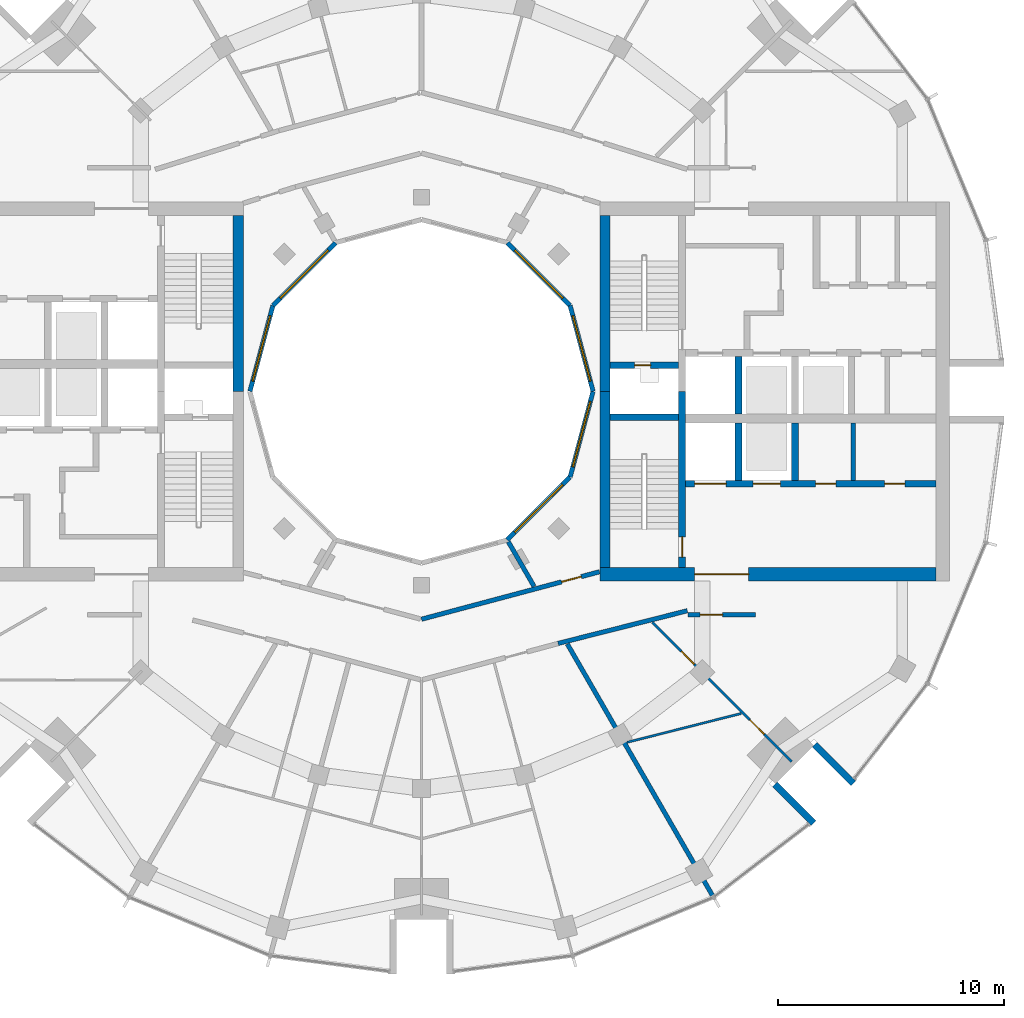
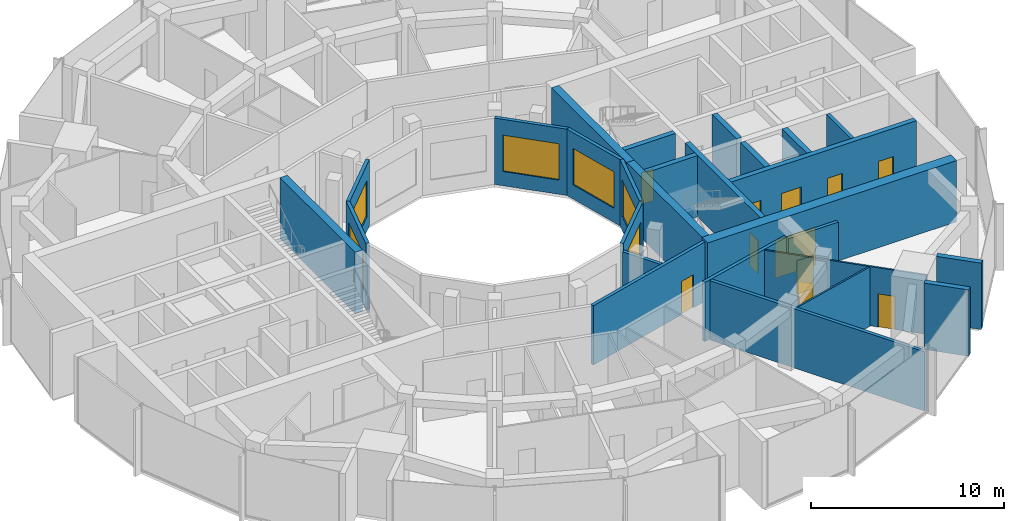
# One storey, part 10 of 15: 27 walls, 11 doors, 6 windows, 17 openings.
"""IFC4 building model written with IfcOpenShell, lengths in metres."""

from ifc_helpers import new_model, si_unit, direction, frame, frame_2d, origin, place, context, subcontext, project, spatial, rectangle, extrude, material, layer, layer_set, type_object, element, fill, save


model = new_model("IFC4")

# Units and contexts
model_context = context("Model", 3, precision=1e-05, world=origin(), true_north=direction((0.0, 1.0)))
body_context = subcontext(model_context, "Body", "Model", "MODEL_VIEW")
ifc_project = project(units=[si_unit("LENGTHUNIT", "METRE"), si_unit("AREAUNIT", "SQUARE_METRE"), si_unit("VOLUMEUNIT", "CUBIC_METRE"), si_unit("PLANEANGLEUNIT", "RADIAN"), si_unit("MASSUNIT", "GRAM", prefix="KILO")], contexts=[model_context])

# Site, building, storey
site_placement = place(None, origin())
site = spatial("IfcSite", under=ifc_project, at=site_placement, CompositionType="ELEMENT")
building_placement = place(site_placement, origin())
building = spatial("IfcBuilding", under=site, at=building_placement, Name="Torre Brocal", CompositionType="ELEMENT")
storey_placement = place(building_placement, frame((0.0, 0.0, 212.5)))
storey = spatial("IfcBuildingStorey", under=building, at=storey_placement, Name="L49", CompositionType="ELEMENT", Elevation=212.5)

# Wall
ifc_material_1 = material(Name="Masonry block", Category="masonry")
ifc_layer_1 = layer(ifc_material_1, 0.199951171875)
ifc_layer_set_1 = layer_set([ifc_layer_1], Name="Masonry block")
wall_type_1 = type_object("IfcWallType", Name="CORE PARTITION 200", PredefinedType="PARTITIONING", material=ifc_layer_set_1)
wall_1_placement = place(storey_placement, frame((99.139892578125, 71.050048828125, 0.0), z_axis=(0.0, 0.0, 1.0), x_axis=(0.0, 1.0, 0.0)))
element("IfcWall", 1, at=wall_1_placement, inside=storey, type_object=wall_type_1, Name="Wall CP200", PredefinedType="PARTITIONING", context=body_context, shape_type="SweptSolid", body=[
    extrude(rectangle(XDim=2.550048828125, YDim=0.199951171875, at=frame_2d((1.27490234375, 0.0))), origin(), (0.0, 0.0, 1.0), 3.8798828125),
])

# Wall, opening, door
ifc_material_2 = material(Name="Concrete C60", Category="concrete")
ifc_layer_2 = layer(ifc_material_2, 0.300048828125)
ifc_layer_set_2 = layer_set([ifc_layer_2], Name="Concrete C60")
wall_type_2 = type_object("IfcWallType", Name="CORE WALL 300 C60", PredefinedType="SHEAR", material=ifc_layer_set_2)
wall_2_placement = place(storey_placement, frame((91.550048828125, 67.199951171875, 0.0), z_axis=(0.0, 0.0, 1.0), x_axis=(0.0, 1.0, 0.0)))
wall_2 = element("IfcWall", 2, at=wall_2_placement, inside=storey, type_object=wall_type_2, Name="Wall CW300-60", PredefinedType="SHEAR", context=body_context, shape_type="SweptSolid", body=[
    extrude(rectangle(XDim=7.800048828125, YDim=0.300048828125, at=frame_2d((3.89990234375, 0.0))), origin(), (0.0, 0.0, 1.0), 3.8798828125),
])
opening_1_placement = place(wall_2_placement, frame((0.449951171875, 0.0, 0.0)))
opening_1 = element("IfcOpeningElement", 3, at=opening_1_placement, cuts=wall_2, Name="Opening E-D03", PredefinedType="OPENING", context=body_context, shape_type="SweptSolid", body=[
    extrude(rectangle(XDim=0.89990234375, YDim=2.10009765625, at=frame_2d((0.449951171875, 1.050048828125))), frame((0.0, 0.159912109375, 0.0), z_axis=(0.0, -1.0, 0.0), x_axis=(1.0, 0.0, 0.0)), (0.0, 0.0, 1.0), 0.320068359375),
])
ifc_material_3 = material(Name="Steel A653", Category="steel")
door_type_1 = type_object("IfcDoorType", Name="STAIR DOOR FD120 900X2100", OperationType="SINGLE_SWING_RIGHT", PredefinedType="DOOR", material=ifc_material_3)
door_1_placement = place(opening_1_placement, origin())
door_1 = element("IfcDoor", 4, at=door_1_placement, inside=storey, type_object=door_type_1, Name="Door E-D03", OperationType="SINGLE_SWING_LEFT", OverallHeight=2.10009765625, OverallWidth=0.89990234375, PredefinedType="DOOR", context=body_context, shape_type="SweptSolid", body=[
    extrude(rectangle(XDim=0.89990234375, YDim=2.10009765625, at=frame_2d((0.449951171875, 1.050048828125))), frame((0.0, 0.02490234375, 0.0), z_axis=(0.0, -1.0, 0.0), x_axis=(1.0, 0.0, 0.0)), (0.0, 0.0, 1.0), 0.050048828125),
])
fill(opening_1, door_1)

wall_3_placement = place(storey_placement, frame((88.35009765625, 76.14990234375, 0.0), z_axis=(0.0, 0.0, 1.0), x_axis=(1.0, 0.0, 0.0)))
wall_3 = element("IfcWall", 5, at=wall_3_placement, inside=storey, type_object=wall_type_2, Name="Wall CW300-60", PredefinedType="SHEAR", context=body_context, shape_type="SweptSolid", body=[
    extrude(rectangle(XDim=3.0498046875, YDim=0.300048828125, at=frame_2d((1.52490234375, 0.0))), origin(), (0.0, 0.0, 1.0), 3.8798828125),
])
opening_2_placement = place(wall_3_placement, frame((1.10009765625, 0.0, 0.0)))
opening_2 = element("IfcOpeningElement", 6, at=opening_2_placement, cuts=wall_3, Name="Opening E-D01", PredefinedType="OPENING", context=body_context, shape_type="SweptSolid", body=[
    extrude(rectangle(XDim=0.699951171875, YDim=2.0, at=frame_2d((0.35009765625, 1.0))), frame((0.0, 0.159912109375, 0.0), z_axis=(0.0, -1.0, 0.0), x_axis=(1.0, 0.0, 0.0)), (0.0, 0.0, 1.0), 0.320068359375),
])
ifc_material_4 = material(Name="Steel A653", Category="steel")
door_type_2 = type_object("IfcDoorType", Name="RISER DOOR FD120 700X2000", OperationType="SINGLE_SWING_LEFT", PredefinedType="DOOR", material=ifc_material_4)
door_2_placement = place(opening_2_placement, frame((0.699951171875, 0.0, 0.0), z_axis=(0.0, 0.0, 1.0), x_axis=(-1.0, 0.0, 0.0)))
door_2 = element("IfcDoor", 7, at=door_2_placement, inside=storey, type_object=door_type_2, Name="Door E-D01", OperationType="SINGLE_SWING_RIGHT", OverallHeight=2.0, OverallWidth=0.699951171875, PredefinedType="DOOR", context=body_context, shape_type="SweptSolid", body=[
    extrude(rectangle(XDim=0.699951171875, YDim=2.0, at=frame_2d((0.35009765625, 1.0))), frame((0.0, 0.02490234375, 0.0), z_axis=(0.0, -1.0, 0.0), x_axis=(1.0, 0.0, 0.0)), (0.0, 0.0, 1.0), 0.050048828125),
])
fill(opening_2, door_2)

# Wall
wall_4_placement = place(storey_placement, frame((88.35009765625, 73.85009765625, 0.0), z_axis=(0.0, 0.0, 1.0), x_axis=(1.0, 0.0, 0.0)))
element("IfcWall", 8, at=wall_4_placement, inside=storey, type_object=wall_type_2, Name="Wall CW300-60", PredefinedType="SHEAR", context=body_context, shape_type="SweptSolid", body=[
    extrude(rectangle(XDim=3.0498046875, YDim=0.300048828125, at=frame_2d((1.52490234375, 0.0))), origin(), (0.0, 0.0, 1.0), 3.8798828125),
])

# Wall, openings, doors
wall_5_placement = place(storey_placement, frame((91.699951171875, 70.89990234375, 0.0), z_axis=(0.0, 0.0, 1.0), x_axis=(1.0, 0.0, 0.0)))
wall_5 = element("IfcWall", 9, at=wall_5_placement, inside=storey, type_object=wall_type_2, Name="Wall CW300-60", PredefinedType="SHEAR", context=body_context, shape_type="SweptSolid", body=[
    extrude(rectangle(XDim=11.10009765625, YDim=0.300048828125, at=frame_2d((5.550048828125, 0.0))), origin(), (0.0, 0.0, 1.0), 3.8798828125),
])
opening_3_placement = place(wall_5_placement, frame((0.39990234375, 0.0, 0.0)))
opening_3 = element("IfcOpeningElement", 10, at=opening_3_placement, cuts=wall_5, Name="Opening LD14", PredefinedType="OPENING", context=body_context, shape_type="SweptSolid", body=[
    extrude(rectangle(XDim=1.39990234375, YDim=2.10009765625, at=frame_2d((0.699951171875, 1.050048828125))), frame((0.0, 0.159912109375, 0.0), z_axis=(0.0, -1.0, 0.0), x_axis=(1.0, 0.0, 0.0)), (0.0, 0.0, 1.0), 0.320068359375),
])
opening_4_placement = place(wall_5_placement, frame((3.0, 0.0, 0.0)))
opening_4 = element("IfcOpeningElement", 11, at=opening_4_placement, cuts=wall_5, Name="Opening LD12", PredefinedType="OPENING", context=body_context, shape_type="SweptSolid", body=[
    extrude(rectangle(XDim=1.199951171875, YDim=2.10009765625, at=frame_2d((0.60009765625, 1.050048828125))), frame((0.0, 0.159912109375, 0.0), z_axis=(0.0, -1.0, 0.0), x_axis=(1.0, 0.0, 0.0)), (0.0, 0.0, 1.0), 0.320068359375),
])
opening_5_placement = place(wall_5_placement, frame((5.77001953125, 0.0, 0.0)))
opening_5 = element("IfcOpeningElement", 12, at=opening_5_placement, cuts=wall_5, Name="Opening E-D06", PredefinedType="OPENING", context=body_context, shape_type="SweptSolid", body=[
    extrude(rectangle(XDim=0.89990234375, YDim=2.10009765625, at=frame_2d((0.449951171875, 1.050048828125))), frame((0.0, 0.159912109375, 0.0), z_axis=(0.0, -1.0, 0.0), x_axis=(1.0, 0.0, 0.0)), (0.0, 0.0, 1.0), 0.320068359375),
])
opening_6_placement = place(wall_5_placement, frame((8.820068359375, 0.0, 0.0)))
opening_6 = element("IfcOpeningElement", 13, at=opening_6_placement, cuts=wall_5, Name="Opening E-D07", PredefinedType="OPENING", context=body_context, shape_type="SweptSolid", body=[
    extrude(rectangle(XDim=0.89990234375, YDim=2.10009765625, at=frame_2d((0.449951171875, 1.050048828125))), frame((0.0, 0.159912109375, 0.0), z_axis=(0.0, -1.0, 0.0), x_axis=(1.0, 0.0, 0.0)), (0.0, 0.0, 1.0), 0.320068359375),
])
ifc_material_5 = material(Name="Stainless steel AISI 316", Category="steel")
door_type_3 = type_object("IfcDoorType", Name="LIFT LANDING DOOR 1200X2100", OperationType="DOUBLE_DOOR_SLIDING", PredefinedType="DOOR", material=ifc_material_5)
door_3_placement = place(opening_4_placement, origin())
door_3 = element("IfcDoor", 14, at=door_3_placement, inside=storey, type_object=door_type_3, Name="Door LD12", OperationType="DOUBLE_DOOR_SLIDING", OverallHeight=2.10009765625, OverallWidth=1.199951171875, PredefinedType="DOOR", context=body_context, shape_type="SweptSolid", body=[
    extrude(rectangle(XDim=1.199951171875, YDim=2.10009765625, at=frame_2d((0.60009765625, 1.050048828125))), frame((0.0, 0.02490234375, 0.0), z_axis=(0.0, -1.0, 0.0), x_axis=(1.0, 0.0, 0.0)), (0.0, 0.0, 1.0), 0.050048828125),
])
fill(opening_4, door_3)
ifc_material_6 = material(Name="Stainless steel AISI 316", Category="steel")
door_type_4 = type_object("IfcDoorType", Name="LIFT LANDING DOOR 1400X2100", OperationType="DOUBLE_DOOR_SLIDING", PredefinedType="DOOR", material=ifc_material_6)
door_4_placement = place(opening_3_placement, origin())
door_4 = element("IfcDoor", 15, at=door_4_placement, inside=storey, type_object=door_type_4, Name="Door LD14", OperationType="DOUBLE_DOOR_SLIDING", OverallHeight=2.10009765625, OverallWidth=1.39990234375, PredefinedType="DOOR", context=body_context, shape_type="SweptSolid", body=[
    extrude(rectangle(XDim=1.39990234375, YDim=2.10009765625, at=frame_2d((0.699951171875, 1.050048828125))), frame((0.0, 0.02490234375, 0.0), z_axis=(0.0, -1.0, 0.0), x_axis=(1.0, 0.0, 0.0)), (0.0, 0.0, 1.0), 0.050048828125),
])
fill(opening_3, door_4)
ifc_material_7 = material(Name="Steel A653", Category="steel")
door_type_5 = type_object("IfcDoorType", Name="ROOM DOOR FD30S 900X2100", OperationType="SINGLE_SWING_LEFT", PredefinedType="DOOR", material=ifc_material_7)
door_5_placement = place(opening_5_placement, origin())
door_5 = element("IfcDoor", 16, at=door_5_placement, inside=storey, type_object=door_type_5, Name="Door E-D06", OperationType="SINGLE_SWING_RIGHT", OverallHeight=2.10009765625, OverallWidth=0.89990234375, PredefinedType="DOOR", context=body_context, shape_type="SweptSolid", body=[
    extrude(rectangle(XDim=0.89990234375, YDim=2.10009765625, at=frame_2d((0.449951171875, 1.050048828125))), frame((0.0, 0.02490234375, 0.0), z_axis=(0.0, -1.0, 0.0), x_axis=(1.0, 0.0, 0.0)), (0.0, 0.0, 1.0), 0.050048828125),
])
fill(opening_5, door_5)
door_6_placement = place(opening_6_placement, origin())
door_6 = element("IfcDoor", 17, at=door_6_placement, inside=storey, type_object=door_type_5, Name="Door E-D07", OperationType="SINGLE_SWING_LEFT", OverallHeight=2.10009765625, OverallWidth=0.89990234375, PredefinedType="DOOR", context=body_context, shape_type="SweptSolid", body=[
    extrude(rectangle(XDim=0.89990234375, YDim=2.10009765625, at=frame_2d((0.449951171875, 1.050048828125))), frame((0.0, 0.02490234375, 0.0), z_axis=(0.0, -1.0, 0.0), x_axis=(1.0, 0.0, 0.0)), (0.0, 0.0, 1.0), 0.050048828125),
])
fill(opening_6, door_6)

# Walls
for number, where, z_axis, x_axis, name in (
    (18, (94.050048828125, 74.0, 0.0), (0.0, 0.0, 1.0), (0.0, 1.0, 0.0), "Wall CW300-60"),
    (19, (94.050048828125, 71.050048828125, 0.0), (0.0, 0.0, 1.0), (0.0, 1.0, 0.0), "Wall CW300-60"),
    (20, (96.550048828125, 71.050048828125, 0.0), (0.0, 0.0, 1.0), (0.0, 1.0, 0.0), "Wall CW300-60"),
):
    element("IfcWall", number, at=place(storey_placement, frame(where, z_axis=z_axis, x_axis=x_axis)), inside=storey, type_object=wall_type_2, Name=name, PredefinedType="SHEAR", context=body_context, shape_type="SweptSolid", body=[
        extrude(rectangle(XDim=2.550048828125, YDim=0.300048828125, at=frame_2d((1.27490234375, 0.0))), origin(), (0.0, 0.0, 1.0), 3.8798828125),
    ])
ifc_material_8 = material(Name="Concrete C60", Category="concrete")
ifc_layer_3 = layer(ifc_material_8, 0.449951171875)
ifc_layer_set_3 = layer_set([ifc_layer_3], Name="Concrete C60")
wall_type_3 = type_object("IfcWallType", Name="CORE WALL 450 C60", PredefinedType="SHEAR", material=ifc_layer_set_3)
for number, where, z_axis, x_axis, name in (
    (21, (88.125, 75.0, 0.0), (0.0, 0.0, 1.0), (0.0, 1.0, 0.0), "Wall CW450-60"),
    (22, (88.125, 67.199951171875, 0.0), (0.0, 0.0, 1.0), (0.0, 1.0, 0.0), "Wall CW450-60"),
    (23, (71.875, 82.800048828125, 0.0), (0.0, 0.0, 1.0), (0.0, -1.0, 0.0), "Wall CW450-60"),
):
    element("IfcWall", number, at=place(storey_placement, frame(where, z_axis=z_axis, x_axis=x_axis)), inside=storey, type_object=wall_type_3, Name=name, PredefinedType="SHEAR", context=body_context, shape_type="SweptSolid", body=[
        extrude(rectangle(XDim=7.800048828125, YDim=0.449951171875, at=frame_2d((3.89990234375, 0.0))), origin(), (0.0, 0.0, 1.0), 3.8798828125),
    ])

# Wall, opening, door
ifc_material_9 = material(Name="Concrete C60", Category="concrete")
ifc_layer_4 = layer(ifc_material_9, 0.60009765625)
ifc_layer_set_4 = layer_set([ifc_layer_4], Name="Concrete C60")
wall_type_4 = type_object("IfcWallType", Name="CORE WALL 600 C60", PredefinedType="SHEAR", material=ifc_layer_set_4)
wall_6_placement = place(storey_placement, frame((87.89990234375, 66.89990234375, 0.0), z_axis=(0.0, 0.0, 1.0), x_axis=(1.0, 0.0, 0.0)))
wall_6 = element("IfcWall", 24, at=wall_6_placement, inside=storey, type_object=wall_type_4, Name="Wall CW600-60", PredefinedType="SHEAR", context=body_context, shape_type="SweptSolid", body=[
    extrude(rectangle(XDim=14.900146484375, YDim=0.60009765625, at=frame_2d((7.4501953125, 0.0))), origin(), (0.0, 0.0, 1.0), 3.8798828125),
])
opening_7_placement = place(wall_6_placement, frame((4.199951171875, 0.0, 0.0)))
opening_7 = element("IfcOpeningElement", 25, at=opening_7_placement, cuts=wall_6, Name="Opening E-D13", PredefinedType="OPENING", context=body_context, shape_type="SweptSolid", body=[
    extrude(rectangle(XDim=2.39990234375, YDim=2.39990234375, at=frame_2d((1.199951171875, 1.199951171875))), frame((0.0, 0.31005859375, 0.0), z_axis=(0.0, -1.0, 0.0), x_axis=(1.0, 0.0, 0.0)), (0.0, 0.0, 1.0), 0.6201171875),
])
ifc_material_10 = material(Name="Steel A653", Category="steel")
door_type_6 = type_object("IfcDoorType", Name="DOUBLE FIRE DOOR FD90 2400X2400", OperationType="DOUBLE_DOOR_SINGLE_SWING", PredefinedType="DOOR", material=ifc_material_10)
door_7_placement = place(opening_7_placement, origin())
door_7 = element("IfcDoor", 26, at=door_7_placement, inside=storey, type_object=door_type_6, Name="Door E-D13", OperationType="DOUBLE_DOOR_SINGLE_SWING", OverallHeight=2.39990234375, OverallWidth=2.39990234375, PredefinedType="DOOR", context=body_context, shape_type="SweptSolid", body=[
    extrude(rectangle(XDim=2.39990234375, YDim=2.39990234375, at=frame_2d((1.199951171875, 1.199951171875))), frame((0.0, 0.02490234375, 0.0), z_axis=(0.0, -1.0, 0.0), x_axis=(1.0, 0.0, 0.0)), (0.0, 0.0, 1.0), 0.050048828125),
])
fill(opening_7, door_7)

# Walls
ifc_material_11 = material(Name="Concrete C60", Category="concrete")
ifc_layer_5 = layer(ifc_material_11, 0.300048828125)
ifc_layer_set_5 = layer_set([ifc_layer_5], Name="Concrete C60")
wall_type_5 = type_object("IfcWallType", Name="NOTCH RETURN WALL 300 C60", PredefinedType="NOTDEFINED", material=ifc_layer_set_5)
for number, where, z_axis, x_axis, name in (
    (27, (95.662353515625, 57.56982421875, 0.0), (0.0, 0.0, 1.0), (0.707106781187, -0.707106781187, 0.0), "NOTCH RETURN WALL"),
    (28, (97.43017578125, 59.337646484375, 0.0), (0.0, 0.0, 1.0), (0.707106781187, -0.707106781187, 0.0), "NOTCH RETURN WALL"),
):
    element("IfcWall", number, at=place(storey_placement, frame(where, z_axis=z_axis, x_axis=x_axis)), inside=storey, type_object=wall_type_5, Name=name, PredefinedType="NOTDEFINED", context=body_context, shape_type="SweptSolid", body=[
        extrude(rectangle(XDim=2.415771484375, YDim=0.300048828125, at=frame_2d((1.2080078125, 0.0))), origin(), (0.0, 0.0, 1.0), 4.199951171875),
    ])
ifc_material_12 = material(Name="Gypsum board", Category="Gypsum")
ifc_layer_6 = layer(ifc_material_12, 0.10009765625)
ifc_layer_set_6 = layer_set([ifc_layer_6], Name="Gypsum board")
wall_type_6 = type_object("IfcWallType", Name="PARTITION 100", PredefinedType="PARTITIONING", material=ifc_layer_set_6)
wall_7_placement = place(storey_placement, frame((89.105712890625, 59.44091796875, 0.0), z_axis=(0.0, 0.0, 1.0), x_axis=(0.969462385749, 0.245240051009, 0.0)))
element("IfcWall", 29, at=wall_7_placement, inside=storey, type_object=wall_type_6, Name="BATHROOM WALL", PredefinedType="PARTITIONING", context=body_context, shape_type="SweptSolid", body=[
    extrude(rectangle(XDim=5.223388671875, YDim=0.10009765625, at=frame_2d((2.61181640625, 0.0))), origin(), (0.0, 0.0, 1.0), 3.75),
])

# Wall, openings, doors
wall_8_placement = place(storey_placement, frame((90.23583984375, 64.7578125, 0.0), z_axis=(0.0, 0.0, 1.0), x_axis=(0.706938769128, -0.707274753334, 0.0)))
wall_8 = element("IfcWall", 30, at=wall_8_placement, inside=storey, type_object=wall_type_6, Name="BATHROOM WALL", PredefinedType="PARTITIONING", context=body_context, shape_type="SweptSolid", body=[
    extrude(rectangle(XDim=8.7197265625, YDim=0.10009765625, at=frame_2d((4.35986328125, 0.0))), origin(), (0.0, 0.0, 1.0), 3.75),
])
opening_8_placement = place(wall_8_placement, frame((6.114501953125, 0.0, 0.0)))
opening_8 = element("IfcOpeningElement", 31, at=opening_8_placement, cuts=wall_8, Name="Opening B01-D21", PredefinedType="OPENING", context=body_context, shape_type="SweptSolid", body=[
    extrude(rectangle(XDim=0.89990234375, YDim=2.10009765625, at=frame_2d((0.449951171875, 1.050048828125))), frame((0.0, 0.06005859375, 0.0), z_axis=(0.0, -1.0, 0.0), x_axis=(1.0, 0.0, 0.0)), (0.0, 0.0, 1.0), 0.1201171875),
])
opening_9_placement = place(wall_8_placement, frame((1.817138671875, 0.0, 0.0)))
opening_9 = element("IfcOpeningElement", 32, at=opening_9_placement, cuts=wall_8, Name="Opening B01-D22", PredefinedType="OPENING", context=body_context, shape_type="SweptSolid", body=[
    extrude(rectangle(XDim=0.800048828125, YDim=2.10009765625, at=frame_2d((0.39990234375, 1.050048828125))), frame((0.0, 0.06005859375, 0.0), z_axis=(0.0, -1.0, 0.0), x_axis=(1.0, 0.0, 0.0)), (0.0, 0.0, 1.0), 0.1201171875),
])
ifc_material_13 = material(Name="Timber", Category="wood")
door_type_7 = type_object("IfcDoorType", Name="BATHROOM DOOR 800X2100", OperationType="SINGLE_SWING_LEFT", PredefinedType="DOOR", material=ifc_material_13)
door_8_placement = place(opening_9_placement, frame((0.800048828125, 0.0, 0.0), z_axis=(0.0, 0.0, 1.0), x_axis=(-1.0, 0.0, 0.0)))
door_8 = element("IfcDoor", 33, at=door_8_placement, inside=storey, type_object=door_type_7, Name="B01-D22", OperationType="SINGLE_SWING_RIGHT", OverallHeight=2.10009765625, OverallWidth=0.800048828125, PredefinedType="DOOR", context=body_context, shape_type="SweptSolid", body=[
    extrude(rectangle(XDim=0.800048828125, YDim=2.10009765625, at=frame_2d((0.39990234375, 1.050048828125))), frame((0.0, 0.02490234375, 0.0), z_axis=(0.0, -1.0, 0.0), x_axis=(1.0, 0.0, 0.0)), (0.0, 0.0, 1.0), 0.050048828125),
])
fill(opening_9, door_8)
ifc_material_14 = material(Name="Timber", Category="wood")
door_type_8 = type_object("IfcDoorType", Name="ROOM DOOR 900X2100", OperationType="SINGLE_SWING_LEFT", PredefinedType="DOOR", material=ifc_material_14)
door_9_placement = place(opening_8_placement, origin())
door_9 = element("IfcDoor", 34, at=door_9_placement, inside=storey, type_object=door_type_8, Name="B01-D21", OperationType="SINGLE_SWING_LEFT", OverallHeight=2.10009765625, OverallWidth=0.89990234375, PredefinedType="DOOR", context=body_context, shape_type="SweptSolid", body=[
    extrude(rectangle(XDim=0.89990234375, YDim=2.10009765625, at=frame_2d((0.449951171875, 1.050048828125))), frame((0.0, 0.02490234375, 0.0), z_axis=(0.0, -1.0, 0.0), x_axis=(1.0, 0.0, 0.0)), (0.0, 0.0, 1.0), 0.050048828125),
])
fill(opening_8, door_9)

# Wall, opening, door
ifc_material_15 = material(Name="Gypsum board", Category="Gypsum")
ifc_layer_7 = layer(ifc_material_15, 0.199951171875)
ifc_layer_set_7 = layer_set([ifc_layer_7], Name="Gypsum board")
wall_type_7 = type_object("IfcWallType", Name="PARTITION 200 EI60", PredefinedType="PARTITIONING", material=ifc_layer_set_7)
wall_9_placement = place(storey_placement, frame((79.99951171875, 64.89794921875, 0.0), z_axis=(0.0, 0.0, 1.0), x_axis=(0.966237419782, 0.257653349704, 0.0)))
wall_9 = element("IfcWall", 35, at=wall_9_placement, inside=storey, type_object=wall_type_7, Name="CORRIDOR WALL", PredefinedType="PARTITIONING", context=body_context, shape_type="SweptSolid", body=[
    extrude(rectangle(XDim=8.1689453125, YDim=0.199951171875, at=frame_2d((4.08447265625, 0.0))), origin(), (0.0, 0.0, 1.0), 3.75),
])
opening_10_placement = place(wall_9_placement, frame((6.427978515625, 0.0, 0.0)))
opening_10 = element("IfcOpeningElement", 36, at=opening_10_placement, cuts=wall_9, Name="Opening B01-D37", PredefinedType="OPENING", context=body_context, shape_type="SweptSolid", body=[
    extrude(rectangle(XDim=0.89990234375, YDim=2.10009765625, at=frame_2d((0.449951171875, 1.050048828125))), frame((0.0, 0.10986328125, 0.0), z_axis=(0.0, -1.0, 0.0), x_axis=(1.0, 0.0, 0.0)), (0.0, 0.0, 1.0), 0.219970703125),
])
door_10_placement = place(opening_10_placement, origin())
door_10 = element("IfcDoor", 37, at=door_10_placement, inside=storey, type_object=door_type_8, Name="B01-D37", OperationType="SINGLE_SWING_RIGHT", OverallHeight=2.10009765625, OverallWidth=0.89990234375, PredefinedType="DOOR", context=body_context, shape_type="SweptSolid", body=[
    extrude(rectangle(XDim=0.89990234375, YDim=2.10009765625, at=frame_2d((0.449951171875, 1.050048828125))), frame((0.0, 0.02490234375, 0.0), z_axis=(0.0, -1.0, 0.0), x_axis=(1.0, 0.0, 0.0)), (0.0, 0.0, 1.0), 0.050048828125),
])
fill(opening_10, door_10)

# Walls
wall_10_placement = place(storey_placement, frame((83.84814453125, 68.331298828125, 0.0), z_axis=(0.0, 0.0, 1.0), x_axis=(0.499851978358, -0.866110847255, 0.0)))
element("IfcWall", 38, at=wall_10_placement, inside=storey, type_object=wall_type_7, Name="SERVICE ROOM WALL", PredefinedType="PARTITIONING", context=body_context, shape_type="SweptSolid", body=[
    extrude(rectangle(XDim=2.284423828125, YDim=0.199951171875, at=frame_2d((1.14208984375, 0.0))), origin(), (0.0, 0.0, 1.0), 3.75),
])
wall_11_placement = place(storey_placement, frame((86.052978515625, 63.826171875, 0.0), z_axis=(0.0, 0.0, 1.0), x_axis=(0.969490004987, 0.245130843083, 0.0)))
element("IfcWall", 39, at=wall_11_placement, inside=storey, type_object=wall_type_7, Name="FLAT ENTRANCE WALL", PredefinedType="PARTITIONING", context=body_context, shape_type="SweptSolid", body=[
    extrude(rectangle(XDim=5.907958984375, YDim=0.199951171875, at=frame_2d((2.9541015625, 0.0))), origin(), (0.0, 0.0, 1.0), 3.75),
])
wall_12_placement = place(storey_placement, frame((86.46337890625, 63.7998046875, 0.0), z_axis=(0.0, 0.0, 1.0), x_axis=(0.499827034849, -0.866125242234, 0.0)))
element("IfcWall", 40, at=wall_12_placement, inside=storey, type_object=wall_type_7, Name="BATHROOM WALL", PredefinedType="PARTITIONING", context=body_context, shape_type="SweptSolid", body=[
    extrude(rectangle(XDim=12.8662109375, YDim=0.199951171875, at=frame_2d((6.43310546875, 0.0))), origin(), (0.0, 0.0, 1.0), 3.75),
])

# Wall, opening, door
wall_13_placement = place(storey_placement, frame((91.800048828125, 65.10009765625, 0.0), z_axis=(0.0, 0.0, 1.0), x_axis=(1.0, 0.0, 0.0)))
wall_13 = element("IfcWall", 41, at=wall_13_placement, inside=storey, type_object=wall_type_7, Name="FLAT ENTRANCE WALL", PredefinedType="PARTITIONING", context=body_context, shape_type="SweptSolid", body=[
    extrude(rectangle(XDim=3.0, YDim=0.199951171875, at=frame_2d((1.5, 0.0))), origin(), (0.0, 0.0, 1.0), 3.75),
])
opening_11_placement = place(wall_13_placement, frame((0.550048828125, 0.0, 0.0)))
opening_11 = element("IfcOpeningElement", 42, at=opening_11_placement, cuts=wall_13, Name="Opening B01-D20", PredefinedType="OPENING", context=body_context, shape_type="SweptSolid", body=[
    extrude(rectangle(XDim=1.0, YDim=2.10009765625, at=frame_2d((0.5, 1.050048828125))), frame((0.0, 0.10986328125, 0.0), z_axis=(0.0, -1.0, 0.0), x_axis=(1.0, 0.0, 0.0)), (0.0, 0.0, 1.0), 0.219970703125),
])
ifc_material_16 = material(Name="Timber", Category="wood")
door_type_9 = type_object("IfcDoorType", Name="FLAT ENTRY DOOR FD30S 1000X2100", OperationType="SINGLE_SWING_RIGHT", PredefinedType="DOOR", material=ifc_material_16)
door_11_placement = place(opening_11_placement, frame((1.0, 0.0, 0.0), z_axis=(0.0, 0.0, 1.0), x_axis=(-1.0, 0.0, 0.0)))
door_11 = element("IfcDoor", 43, at=door_11_placement, inside=storey, type_object=door_type_9, Name="B01-D20", OperationType="SINGLE_SWING_RIGHT", OverallHeight=2.10009765625, OverallWidth=1.0, PredefinedType="DOOR", context=body_context, shape_type="SweptSolid", body=[
    extrude(rectangle(XDim=1.0, YDim=2.10009765625, at=frame_2d((0.5, 1.050048828125))), frame((0.0, 0.02490234375, 0.0), z_axis=(0.0, -1.0, 0.0), x_axis=(1.0, 0.0, 0.0)), (0.0, 0.0, 1.0), 0.050048828125),
])
fill(opening_11, door_11)

# Wall, opening, window
ifc_material_17 = material(Name="Concrete C40", Category="concrete")
ifc_layer_8 = layer(ifc_material_17, 0.199951171875)
ifc_layer_set_8 = layer_set([ifc_layer_8], Name="Concrete C40")
wall_type_8 = type_object("IfcWallType", Name="WELL FACADE WALL 200", PredefinedType="NOTDEFINED", material=ifc_layer_set_8)
wall_14_placement = place(storey_placement, frame((87.603515625, 75.0, 0.0), z_axis=(0.0, 0.0, 1.0), x_axis=(-0.258789828301, 0.965933654434, 0.0)))
wall_14 = element("IfcWall", 44, at=wall_14_placement, inside=storey, type_object=wall_type_8, Name="WELL FACADE WALL", PredefinedType="NOTDEFINED", context=body_context, shape_type="SweptSolid", body=[
    extrude(rectangle(XDim=3.935791015625, YDim=0.199951171875, at=frame_2d((1.9677734375, 0.0))), origin(), (0.0, 0.0, 1.0), 4.199951171875),
])
opening_12_placement = place(wall_14_placement, frame((0.468017578125, 0.0, 0.89990234375)))
opening_12 = element("IfcOpeningElement", 45, at=opening_12_placement, cuts=wall_14, Name="Opening W1", PredefinedType="OPENING", context=body_context, shape_type="SweptSolid", body=[
    extrude(rectangle(XDim=3.0, YDim=2.300048828125, at=frame_2d((1.5, 1.14990234375))), frame((0.0, 0.10986328125, 0.0), z_axis=(0.0, -1.0, 0.0), x_axis=(1.0, 0.0, 0.0)), (0.0, 0.0, 1.0), 0.219970703125),
])
ifc_material_18 = material(Name="Aluminium and glass", Category="aluminium")
window_type = type_object("IfcWindowType", Name="WELL WINDOW 3000X2300", PartitioningType="SINGLE_PANEL", PredefinedType="WINDOW", material=ifc_material_18)
window_1_placement = place(opening_12_placement, origin())
window_1 = element("IfcWindow", 46, at=window_1_placement, inside=storey, type_object=window_type, Name="WELL WINDOW 3000X2300", OverallHeight=2.300048828125, OverallWidth=3.0, PartitioningType="SINGLE_PANEL", PredefinedType="WINDOW", context=body_context, shape_type="SweptSolid", body=[
    extrude(rectangle(XDim=3.0, YDim=2.300048828125, at=frame_2d((1.5, 1.14990234375))), frame((0.0, 0.030029296875, 0.0), z_axis=(0.0, -1.0, 0.0), x_axis=(1.0, 0.0, 0.0)), (0.0, 0.0, 1.0), 0.06005859375),
])
fill(opening_12, window_1)

wall_15_placement = place(storey_placement, frame((86.5849609375, 78.8017578125, 0.0), z_axis=(0.0, 0.0, 1.0), x_axis=(-0.707106781187, 0.707106781187, 0.0)))
wall_15 = element("IfcWall", 47, at=wall_15_placement, inside=storey, type_object=wall_type_8, Name="WELL FACADE WALL", PredefinedType="NOTDEFINED", context=body_context, shape_type="SweptSolid", body=[
    extrude(rectangle(XDim=3.93603515625, YDim=0.199951171875, at=frame_2d((1.968017578125, 0.0))), origin(), (0.0, 0.0, 1.0), 4.199951171875),
])
opening_13_placement = place(wall_15_placement, frame((0.468017578125, 0.0, 0.89990234375)))
opening_13 = element("IfcOpeningElement", 48, at=opening_13_placement, cuts=wall_15, Name="Opening W1", PredefinedType="OPENING", context=body_context, shape_type="SweptSolid", body=[
    extrude(rectangle(XDim=3.0, YDim=2.300048828125, at=frame_2d((1.5, 1.14990234375))), frame((0.0, 0.10986328125, 0.0), z_axis=(0.0, -1.0, 0.0), x_axis=(1.0, 0.0, 0.0)), (0.0, 0.0, 1.0), 0.219970703125),
])
window_2_placement = place(opening_13_placement, origin())
window_2 = element("IfcWindow", 49, at=window_2_placement, inside=storey, type_object=window_type, Name="WELL WINDOW 3000X2300", OverallHeight=2.300048828125, OverallWidth=3.0, PartitioningType="SINGLE_PANEL", PredefinedType="WINDOW", context=body_context, shape_type="SweptSolid", body=[
    extrude(rectangle(XDim=3.0, YDim=2.300048828125, at=frame_2d((1.5, 1.14990234375))), frame((0.0, 0.030029296875, 0.0), z_axis=(0.0, -1.0, 0.0), x_axis=(1.0, 0.0, 0.0)), (0.0, 0.0, 1.0), 0.06005859375),
])
fill(opening_13, window_2)

wall_16_placement = place(storey_placement, frame((76.1982421875, 81.5849609375, 0.0), z_axis=(0.0, 0.0, 1.0), x_axis=(-0.707106781187, -0.707106781187, 0.0)))
wall_16 = element("IfcWall", 50, at=wall_16_placement, inside=storey, type_object=wall_type_8, Name="WELL FACADE WALL", PredefinedType="NOTDEFINED", context=body_context, shape_type="SweptSolid", body=[
    extrude(rectangle(XDim=3.93603515625, YDim=0.199951171875, at=frame_2d((1.968017578125, 0.0))), origin(), (0.0, 0.0, 1.0), 4.199951171875),
])
opening_14_placement = place(wall_16_placement, frame((0.468017578125, 0.0, 0.89990234375)))
opening_14 = element("IfcOpeningElement", 51, at=opening_14_placement, cuts=wall_16, Name="Opening W1", PredefinedType="OPENING", context=body_context, shape_type="SweptSolid", body=[
    extrude(rectangle(XDim=3.0, YDim=2.300048828125, at=frame_2d((1.5, 1.14990234375))), frame((0.0, 0.10986328125, 0.0), z_axis=(0.0, -1.0, 0.0), x_axis=(1.0, 0.0, 0.0)), (0.0, 0.0, 1.0), 0.219970703125),
])
window_3_placement = place(opening_14_placement, origin())
window_3 = element("IfcWindow", 52, at=window_3_placement, inside=storey, type_object=window_type, Name="WELL WINDOW 3000X2300", OverallHeight=2.300048828125, OverallWidth=3.0, PartitioningType="SINGLE_PANEL", PredefinedType="WINDOW", context=body_context, shape_type="SweptSolid", body=[
    extrude(rectangle(XDim=3.0, YDim=2.300048828125, at=frame_2d((1.5, 1.14990234375))), frame((0.0, 0.030029296875, 0.0), z_axis=(0.0, -1.0, 0.0), x_axis=(1.0, 0.0, 0.0)), (0.0, 0.0, 1.0), 0.06005859375),
])
fill(opening_14, window_3)

wall_17_placement = place(storey_placement, frame((73.4150390625, 78.8017578125, 0.0), z_axis=(0.0, 0.0, 1.0), x_axis=(-0.258789828301, -0.965933654434, 0.0)))
wall_17 = element("IfcWall", 53, at=wall_17_placement, inside=storey, type_object=wall_type_8, Name="WELL FACADE WALL", PredefinedType="NOTDEFINED", context=body_context, shape_type="SweptSolid", body=[
    extrude(rectangle(XDim=3.935791015625, YDim=0.199951171875, at=frame_2d((1.9677734375, 0.0))), origin(), (0.0, 0.0, 1.0), 4.199951171875),
])
opening_15_placement = place(wall_17_placement, frame((0.468017578125, 0.0, 0.89990234375)))
opening_15 = element("IfcOpeningElement", 54, at=opening_15_placement, cuts=wall_17, Name="Opening W1", PredefinedType="OPENING", context=body_context, shape_type="SweptSolid", body=[
    extrude(rectangle(XDim=3.0, YDim=2.300048828125, at=frame_2d((1.5, 1.14990234375))), frame((0.0, 0.10986328125, 0.0), z_axis=(0.0, -1.0, 0.0), x_axis=(1.0, 0.0, 0.0)), (0.0, 0.0, 1.0), 0.219970703125),
])
window_4_placement = place(opening_15_placement, origin())
window_4 = element("IfcWindow", 55, at=window_4_placement, inside=storey, type_object=window_type, Name="WELL WINDOW 3000X2300", OverallHeight=2.300048828125, OverallWidth=3.0, PartitioningType="SINGLE_PANEL", PredefinedType="WINDOW", context=body_context, shape_type="SweptSolid", body=[
    extrude(rectangle(XDim=3.0, YDim=2.300048828125, at=frame_2d((1.5, 1.14990234375))), frame((0.0, 0.030029296875, 0.0), z_axis=(0.0, -1.0, 0.0), x_axis=(1.0, 0.0, 0.0)), (0.0, 0.0, 1.0), 0.06005859375),
])
fill(opening_15, window_4)

wall_18_placement = place(storey_placement, frame((83.8017578125, 68.4150390625, 0.0), z_axis=(0.0, 0.0, 1.0), x_axis=(0.707106781187, 0.707106781187, 0.0)))
wall_18 = element("IfcWall", 56, at=wall_18_placement, inside=storey, type_object=wall_type_8, Name="WELL FACADE WALL", PredefinedType="NOTDEFINED", context=body_context, shape_type="SweptSolid", body=[
    extrude(rectangle(XDim=3.93603515625, YDim=0.199951171875, at=frame_2d((1.968017578125, 0.0))), origin(), (0.0, 0.0, 1.0), 4.199951171875),
])
opening_16_placement = place(wall_18_placement, frame((0.468017578125, 0.0, 0.89990234375)))
opening_16 = element("IfcOpeningElement", 57, at=opening_16_placement, cuts=wall_18, Name="Opening W1", PredefinedType="OPENING", context=body_context, shape_type="SweptSolid", body=[
    extrude(rectangle(XDim=3.0, YDim=2.300048828125, at=frame_2d((1.5, 1.14990234375))), frame((0.0, 0.10986328125, 0.0), z_axis=(0.0, -1.0, 0.0), x_axis=(1.0, 0.0, 0.0)), (0.0, 0.0, 1.0), 0.219970703125),
])
window_5_placement = place(opening_16_placement, origin())
window_5 = element("IfcWindow", 58, at=window_5_placement, inside=storey, type_object=window_type, Name="WELL WINDOW 3000X2300", OverallHeight=2.300048828125, OverallWidth=3.0, PartitioningType="SINGLE_PANEL", PredefinedType="WINDOW", context=body_context, shape_type="SweptSolid", body=[
    extrude(rectangle(XDim=3.0, YDim=2.300048828125, at=frame_2d((1.5, 1.14990234375))), frame((0.0, 0.030029296875, 0.0), z_axis=(0.0, -1.0, 0.0), x_axis=(1.0, 0.0, 0.0)), (0.0, 0.0, 1.0), 0.06005859375),
])
fill(opening_16, window_5)

wall_19_placement = place(storey_placement, frame((86.5849609375, 71.1982421875, 0.0), z_axis=(0.0, 0.0, 1.0), x_axis=(0.258789828301, 0.965933654434, 0.0)))
wall_19 = element("IfcWall", 59, at=wall_19_placement, inside=storey, type_object=wall_type_8, Name="WELL FACADE WALL", PredefinedType="NOTDEFINED", context=body_context, shape_type="SweptSolid", body=[
    extrude(rectangle(XDim=3.935791015625, YDim=0.199951171875, at=frame_2d((1.9677734375, 0.0))), origin(), (0.0, 0.0, 1.0), 4.199951171875),
])
opening_17_placement = place(wall_19_placement, frame((0.468017578125, 0.0, 0.89990234375)))
opening_17 = element("IfcOpeningElement", 60, at=opening_17_placement, cuts=wall_19, Name="Opening W1", PredefinedType="OPENING", context=body_context, shape_type="SweptSolid", body=[
    extrude(rectangle(XDim=3.0, YDim=2.300048828125, at=frame_2d((1.5, 1.14990234375))), frame((0.0, 0.10986328125, 0.0), z_axis=(0.0, -1.0, 0.0), x_axis=(1.0, 0.0, 0.0)), (0.0, 0.0, 1.0), 0.219970703125),
])
window_6_placement = place(opening_17_placement, origin())
window_6 = element("IfcWindow", 61, at=window_6_placement, inside=storey, type_object=window_type, Name="WELL WINDOW 3000X2300", OverallHeight=2.300048828125, OverallWidth=3.0, PartitioningType="SINGLE_PANEL", PredefinedType="WINDOW", context=body_context, shape_type="SweptSolid", body=[
    extrude(rectangle(XDim=3.0, YDim=2.300048828125, at=frame_2d((1.5, 1.14990234375))), frame((0.0, 0.030029296875, 0.0), z_axis=(0.0, -1.0, 0.0), x_axis=(1.0, 0.0, 0.0)), (0.0, 0.0, 1.0), 0.06005859375),
])
fill(opening_17, window_6)

save(model, "model.ifc")
